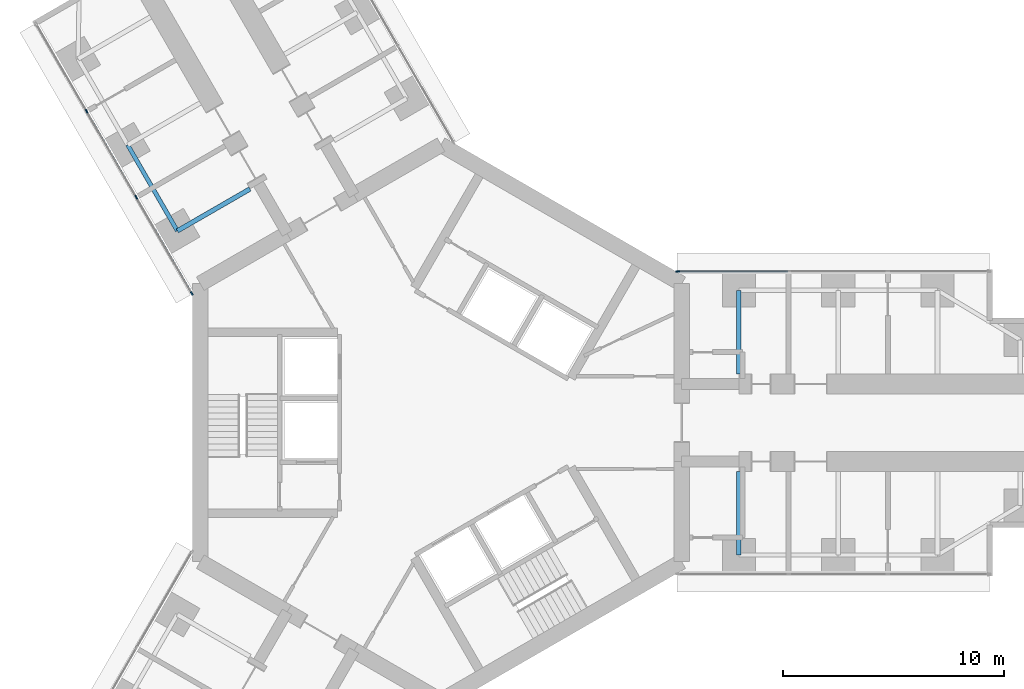
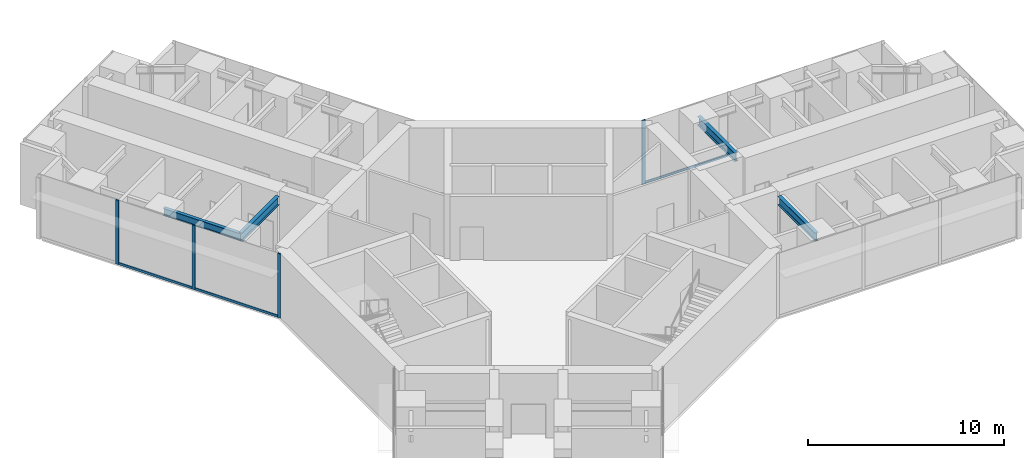
# One storey, part 6 of 22: 7 members, 4 beams, 2 elements without a shape of their own.
"""IFC4 building model written with IfcOpenShell, lengths in metres."""

from ifc_helpers import new_model, si_unit, direction, frame, origin, origin_2d, place, context, subcontext, project, spatial, rectangle, i_section, extrude, material, material_profile, profile_set, type_object, element, aggregate, save


model = new_model("IFC4")

# Units and contexts
model_context = context("Model", 3, precision=1e-05, world=origin(), true_north=direction((0.0, 1.0)))
body_context = subcontext(model_context, "Body", "Model", "MODEL_VIEW")
ifc_project = project(units=[si_unit("LENGTHUNIT", "METRE"), si_unit("AREAUNIT", "SQUARE_METRE"), si_unit("VOLUMEUNIT", "CUBIC_METRE"), si_unit("PLANEANGLEUNIT", "RADIAN"), si_unit("MASSUNIT", "GRAM", prefix="KILO")], contexts=[model_context])

# Site, building, storey
site_placement = place(None, origin())
site = spatial("IfcSite", under=ifc_project, at=site_placement, CompositionType="ELEMENT")
building_placement = place(site_placement, origin())
building = spatial("IfcBuilding", under=site, at=building_placement, Name="Upepo Twin Towers", CompositionType="ELEMENT")
storey_placement = place(building_placement, frame((0.0, 0.0, 44.5)))
storey = spatial("IfcBuildingStorey", under=building, at=storey_placement, Name="L10", CompositionType="ELEMENT", Elevation=44.5)

# Beams
ifc_material_1 = material(Name="Steel S355", Category="steel")
ifc_material_profile_1 = material_profile(ifc_material_1, i_section(OverallWidth=0.1904296875, OverallDepth=0.45703125, WebThickness=0.009033203125, FlangeThickness=0.014404296875, FilletRadius=0.01025390625, at=origin_2d()), Name="UB 457x191x74")
ifc_profile_set_1 = profile_set([ifc_material_profile_1], Name="Steel S355")
beam_type_1 = type_object("IfcBeamType", Name="Beam UB 457x191x74", PredefinedType="BEAM", material=ifc_profile_set_1)
beam_1_placement = place(storey_placement, frame((-11.946044921875, 8.69140625, 3.571533203125), z_axis=(-0.500013631625, 0.866017533419, 0.0), x_axis=(-0.866017533419, -0.500013631625, 0.0)))
element("IfcBeam", 1, at=beam_1_placement, inside=storey, type_object=beam_type_1, Name="T1 edge beam BL 13.5-18.0", PredefinedType="BEAM", context=body_context, shape_type="SweptSolid", body=[
    extrude(i_section(OverallWidth=0.1904296875, OverallDepth=0.45703125, WebThickness=0.009033203125, FlangeThickness=0.014404296875, FilletRadius=0.01025390625, at=origin_2d()), origin(), (0.0, 0.0, 1.0), 4.499755859375),
])
ifc_material_2 = material(Name="Steel S355", Category="steel")
ifc_material_profile_2 = material_profile(ifc_material_2, i_section(OverallWidth=0.209228515625, OverallDepth=0.533203125, WebThickness=0.010009765625, FlangeThickness=0.015625, FilletRadius=0.0126953125, at=origin_2d()), Name="UB 533x210x92")
ifc_profile_set_2 = profile_set([ifc_material_profile_2], Name="Steel S355")
beam_type_2 = type_object("IfcBeamType", Name="Beam UB 533x210x92", PredefinedType="BEAM", material=ifc_profile_set_2)
for number, where, z_axis, x_axis, name in (
    (2, (13.5, 6.0, 3.533447265625), (0.0, -1.0, 0.0), (1.0, 0.0, 0.0), "T1 girder AL at 13.5"),
    (3, (13.5, -6.0, 3.533447265625), (0.0, 1.0, 0.0), (-1.0, 0.0, 0.0), "T1 girder AR at 13.5"),
):
    element("IfcBeam", number, at=place(storey_placement, frame(where, z_axis=z_axis, x_axis=x_axis)), inside=storey, type_object=beam_type_2, Name=name, PredefinedType="BEAM", context=body_context, shape_type="SweptSolid", body=[
        extrude(i_section(OverallWidth=0.209228515625, OverallDepth=0.533203125, WebThickness=0.010009765625, FlangeThickness=0.015625, FilletRadius=0.0126953125, at=origin_2d()), origin(), (0.0, 0.0, 1.0), 3.800048828125),
    ])
beam_2_placement = place(storey_placement, frame((-11.946044921875, 8.69140625, 3.533447265625), z_axis=(0.866028304915, 0.499994975061, 0.0), x_axis=(-0.499994975061, 0.866028304915, 0.0)))
element("IfcBeam", 4, at=beam_2_placement, inside=storey, type_object=beam_type_2, Name="T1 girder BL at 13.5", PredefinedType="BEAM", context=body_context, shape_type="SweptSolid", body=[
    extrude(i_section(OverallWidth=0.209228515625, OverallDepth=0.533203125, WebThickness=0.010009765625, FlangeThickness=0.015625, FilletRadius=0.0126953125, at=origin_2d()), origin(), (0.0, 0.0, 1.0), 3.7998046875),
])

# Curtain wall, member
ifc_material_3 = material(Name="Aluminium and fritted glass", Category="aluminium")
curtain_wall_type = type_object("IfcCurtainWallType", Name="Tower curtain wall TW1, fritted glass", PredefinedType="NOTDEFINED", material=ifc_material_3)
curtain_wall_1_placement = place(storey_placement, origin())
curtain_wall_1 = element("IfcCurtainWall", 5, at=curtain_wall_1_placement, inside=storey, type_object=curtain_wall_type, Name="T1 L10 wing A flank L curtain wall", PredefinedType="NOTDEFINED")
ifc_material_4 = material(Name="Aluminium mullion", Category="aluminium")
ifc_material_profile_3 = material_profile(ifc_material_4, rectangle(XDim=0.06494140625, YDim=0.179931640625, at=origin_2d()), Name="MULLION 65x180")
ifc_profile_set_3 = profile_set([ifc_material_profile_3], Name="Aluminium mullion")
member_type_1 = type_object("IfcMemberType", Name="Mullion 65x180 TW1", PredefinedType="MULLION", material=ifc_profile_set_3)
member_1_placement = place(storey_placement, frame((10.7197265625, 6.85009765625, 0.0), z_axis=(0.0, 0.0, 1.0), x_axis=(0.0, 1.0, 0.0)))
member_1 = element("IfcMember", 6, at=member_1_placement, type_object=member_type_1, Name="T1 L10 wing A flank L curtain wall mullion 1", PredefinedType="MULLION", context=body_context, shape_type="SweptSolid", body=[
    extrude(rectangle(XDim=0.06494140625, YDim=0.179931640625, at=origin_2d()), origin(), (0.0, 0.0, 1.0), 4.0),
])

# Curtain wall, members
curtain_wall_2_placement = place(storey_placement, origin())
curtain_wall_2 = element("IfcCurtainWall", 7, at=curtain_wall_2_placement, inside=storey, type_object=curtain_wall_type, Name="T1 L10 wing B flank L curtain wall", PredefinedType="NOTDEFINED")
member_2_placement = place(storey_placement, frame((-11.2919921875, 5.8583984375, 0.0), z_axis=(0.0, 0.0, 1.0), x_axis=(-0.866025389682, -0.500000024426, 0.0)))
member_2 = element("IfcMember", 8, at=member_2_placement, type_object=member_type_1, Name="T1 L10 wing B flank L curtain wall mullion 1", PredefinedType="MULLION", context=body_context, shape_type="SweptSolid", body=[
    extrude(rectangle(XDim=0.06494140625, YDim=0.179931640625, at=origin_2d()), origin(), (0.0, 0.0, 1.0), 4.0),
])
member_3_placement = place(storey_placement, frame((-13.807373046875, 10.21484375, 0.0), z_axis=(0.0, 0.0, 1.0), x_axis=(-0.866025389682, -0.500000024426, 0.0)))
member_3 = element("IfcMember", 9, at=member_3_placement, type_object=member_type_1, Name="T1 L10 wing B flank L curtain wall mullion 2", PredefinedType="MULLION", context=body_context, shape_type="SweptSolid", body=[
    extrude(rectangle(XDim=0.06494140625, YDim=0.179931640625, at=origin_2d()), origin(), (0.0, 0.0, 1.0), 4.0),
])
member_4_placement = place(storey_placement, frame((-16.057373046875, 14.112060546875, 0.0), z_axis=(0.0, 0.0, 1.0), x_axis=(-0.866025389682, -0.500000024426, 0.0)))
member_4 = element("IfcMember", 10, at=member_4_placement, type_object=member_type_1, Name="T1 L10 wing B flank L curtain wall mullion 3", PredefinedType="MULLION", context=body_context, shape_type="SweptSolid", body=[
    extrude(rectangle(XDim=0.06494140625, YDim=0.179931640625, at=origin_2d()), origin(), (0.0, 0.0, 1.0), 4.0),
])

# Member
ifc_material_5 = material(Name="Aluminium transom", Category="aluminium")
ifc_material_profile_4 = material_profile(ifc_material_5, rectangle(XDim=0.06494140625, YDim=0.14990234375, at=origin_2d()), Name="TRANSOM 65x150")
ifc_profile_set_4 = profile_set([ifc_material_profile_4], Name="Aluminium transom")
member_type_2 = type_object("IfcMemberType", Name="Transom 65x150 TW1", PredefinedType="USERDEFINED", material=ifc_profile_set_4)
member_5_placement = place(storey_placement, frame((10.752197265625, 6.85009765625, 0.074951171875), z_axis=(1.0, 0.0, 0.0), x_axis=(0.0, 1.0, 0.0)))
member_5 = element("IfcMember", 11, at=member_5_placement, type_object=member_type_2, Name="T1 L10 wing A flank L curtain wall transom 1", ObjectType="TRANSOM", PredefinedType="USERDEFINED", context=body_context, shape_type="SweptSolid", body=[
    extrude(rectangle(XDim=0.06494140625, YDim=0.14990234375, at=origin_2d()), origin(), (0.0, 0.0, 1.0), 4.96533203125),
])

aggregate(curtain_wall_1, [member_1, member_5])

member_6_placement = place(storey_placement, frame((-11.308349609375, 5.88671875, 0.074951171875), z_axis=(-0.50000478328, 0.866022642139, 0.0), x_axis=(-0.866022642139, -0.50000478328, 0.0)))
member_6 = element("IfcMember", 12, at=member_6_placement, type_object=member_type_2, Name="T1 L10 wing B flank L curtain wall transom 1", ObjectType="TRANSOM", PredefinedType="USERDEFINED", context=body_context, shape_type="SweptSolid", body=[
    extrude(rectangle(XDim=0.06494140625, YDim=0.14990234375, at=origin_2d()), origin(), (0.0, 0.0, 1.0), 4.96533203125),
])

member_7_placement = place(storey_placement, frame((-13.823486328125, 10.2431640625, 0.074951171875), z_axis=(-0.500005184116, 0.866022410713, 0.0), x_axis=(-0.866022410713, -0.500005184116, 0.0)))
member_7 = element("IfcMember", 13, at=member_7_placement, type_object=member_type_2, Name="T1 L10 wing B flank L curtain wall transom 2", ObjectType="TRANSOM", PredefinedType="USERDEFINED", context=body_context, shape_type="SweptSolid", body=[
    extrude(rectangle(XDim=0.06494140625, YDim=0.14990234375, at=origin_2d()), origin(), (0.0, 0.0, 1.0), 4.43505859375),
])

aggregate(curtain_wall_2, [member_2, member_3, member_4, member_6, member_7])

save(model, "model.ifc")
